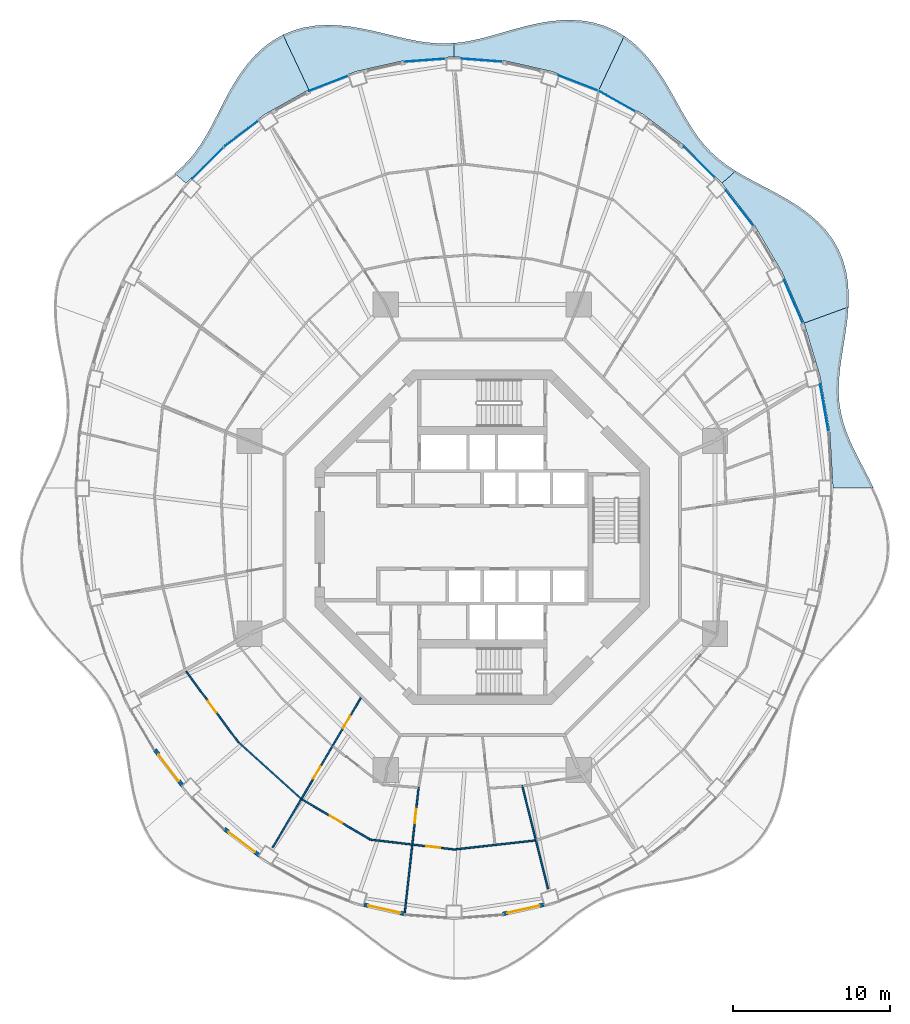
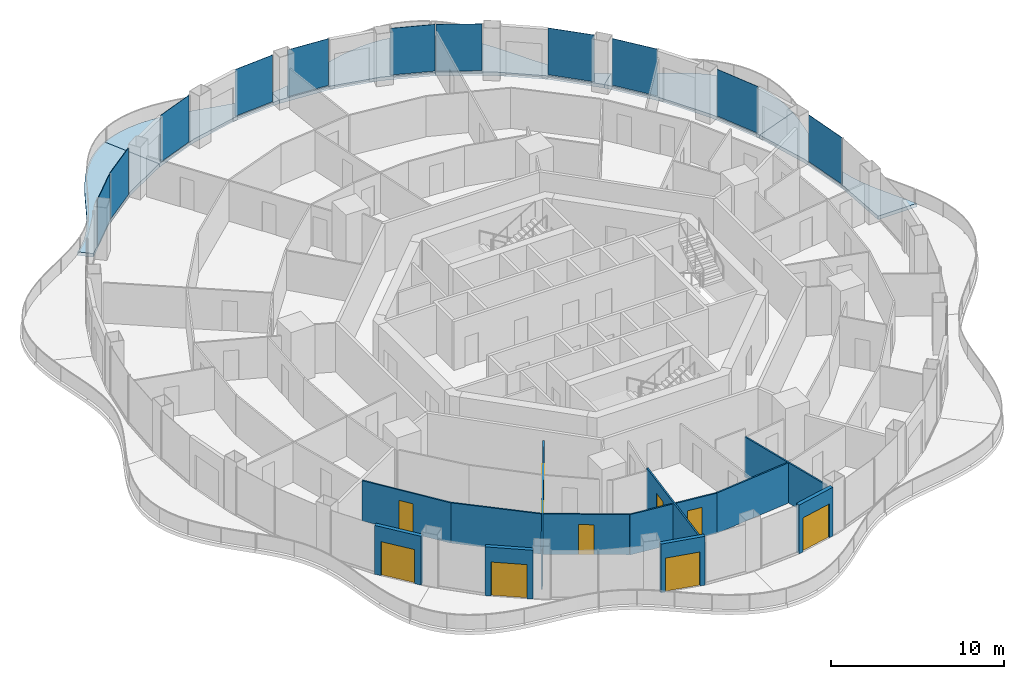
# One storey, part 9 of 18: 12 walls, 11 plates, 10 doors, 6 slabs, 10 openings, 11 elements without a shape of their own.
"""IFC4 building model written with IfcOpenShell, lengths in metres."""

import ifcopenshell
import ifcopenshell.guid

model = None  # the IFC model being written
_history = None  # IfcOwnerHistory: only IFC2X3 demands one
_inside = {}  # id of a spatial element -> (the spatial element, [elements in it])
_under = {}  # id of a project, library or spatial element -> (it, [spatial elements below it])
_declared = {}  # id of a project -> (the project, [libraries it declares])
_typed = {}  # id of a type object -> (the type object, [elements of that type])
_made_of = {}  # id of a material, layer set ... -> (it, [elements and type objects made of it])


def new_model(schema):
    """Start an empty IFC model of exactly this schema.

    Asked for "IFC4X3", IfcOpenShell would pick the latest addendum, in which some entities
    have other attributes; the version numbers below select the first issue.
    IFC2X3 requires an IfcOwnerHistory on every rooted entity: one is made here for all.
    """
    global model, _history
    if schema == "IFC4X3":
        model = ifcopenshell.file(schema_version=(4, 3, 0, 0))
    else:
        model = ifcopenshell.file(schema=schema)
    _inside.clear()
    _under.clear()
    _declared.clear()
    _typed.clear()
    _made_of.clear()
    _history = None
    if model.schema == "IFC2X3":
        org = make("IfcOrganization", Name="unknown")
        user = make(
            "IfcPersonAndOrganization",
            ThePerson=make("IfcPerson", FamilyName="unknown"),
            TheOrganization=org,
        )
        app = make(
            "IfcApplication",
            ApplicationDeveloper=org,
            Version="unknown",
            ApplicationFullName="unknown",
            ApplicationIdentifier="unknown",
        )
        _history = make(
            "IfcOwnerHistory",
            OwningUser=user,
            OwningApplication=app,
            ChangeAction="ADDED",
            CreationDate=0,
        )
    return model


def make(cls, **values):
    """One entity of the class cls with the attributes given. An attribute that is None is left unset."""
    return model.create_entity(
        cls, **{name: value for name, value in values.items() if value is not None}
    )


def rooted(cls, **values):
    """An entity with a GlobalId (a new one), such as an element, a storey or a relation."""
    return make(cls, GlobalId=ifcopenshell.guid.new(), OwnerHistory=_history, **values)


def si_unit(unit_type, name, prefix=None):
    """IfcSIUnit, for example si_unit("LENGTHUNIT", "METRE", prefix="MILLI")."""
    return make("IfcSIUnit", UnitType=unit_type, Prefix=prefix, Name=name)


def assignment(units):
    """IfcUnitAssignment: the units of a project."""
    return None if units is None else make("IfcUnitAssignment", Units=units)


def point(xyz):
    """IfcCartesianPoint."""
    return None if xyz is None else make("IfcCartesianPoint", Coordinates=xyz)


def direction(xyz):
    """IfcDirection."""
    return None if xyz is None else make("IfcDirection", DirectionRatios=xyz)


def frame(location, z_axis=None, x_axis=None):
    """IfcAxis2Placement3D, a coordinate frame: its origin and axes. An axis left out is left unset."""
    return make(
        "IfcAxis2Placement3D",
        Location=point(location),
        Axis=direction(z_axis),
        RefDirection=direction(x_axis),
    )


def frame_2d(location, x_axis=None):
    """IfcAxis2Placement2D, a coordinate frame in the plane: its origin and x axis."""
    return make(
        "IfcAxis2Placement2D", Location=point(location), RefDirection=direction(x_axis)
    )


def origin():
    """The frame at (0, 0, 0) with its axes left unset."""
    return frame((0.0, 0.0, 0.0))


def origin_2d():
    """The frame at (0, 0) in the plane with its x axis left unset."""
    return frame_2d((0.0, 0.0))


def place(relative_to, where):
    """IfcLocalPlacement: puts the frame where relative to a parent placement (None: the world)."""
    return make(
        "IfcLocalPlacement", PlacementRelTo=relative_to, RelativePlacement=where
    )


def context(
    kind, dimensions, precision=None, world=None, true_north=None, identifier=None
):
    """IfcGeometricRepresentationContext, for example the 3D "Model" context."""
    return make(
        "IfcGeometricRepresentationContext",
        ContextIdentifier=identifier,
        ContextType=kind,
        CoordinateSpaceDimension=dimensions,
        Precision=precision,
        WorldCoordinateSystem=world,
        TrueNorth=true_north,
    )


def subcontext(parent, identifier, kind, view, scale=None):
    """IfcGeometricRepresentationSubContext, for example "Body" below "Model"."""
    return make(
        "IfcGeometricRepresentationSubContext",
        ContextIdentifier=identifier,
        ContextType=kind,
        ParentContext=parent,
        TargetScale=scale,
        TargetView=view,
    )


def project(units=None, contexts=None):
    """IfcProject with its units and contexts."""
    return rooted(
        "IfcProject",
        Name="project",
        RepresentationContexts=contexts,
        UnitsInContext=assignment(units),
    )


def spatial(cls, under=None, at=None, **own):
    """A site, building, storey or space (cls), placed at a placement, below another one or the project."""
    s = rooted(cls, ObjectPlacement=at, **own)
    if under is not None:
        _under.setdefault(under.id(), (under, []))[1].append(s)
    return s


def polyline(points):
    """IfcPolyline through the points."""
    return make("IfcPolyline", Points=[point(p) for p in points])


def profile(cls, at=None, kind="AREA", **sizes):
    """A parametric profile (cls). Its sizes go by their IFC names, for example OverallWidth=200.0."""
    return make(cls, ProfileType=kind, Position=at, **sizes)


def rectangle(**sizes):
    """IfcRectangleProfileDef."""
    return profile("IfcRectangleProfileDef", **sizes)


def outline(outer, holes=None, kind="AREA"):
    """IfcArbitraryClosedProfileDef: a profile drawn as a closed curve; with holes, ...WithVoids."""
    if holes is None:
        return make("IfcArbitraryClosedProfileDef", ProfileType=kind, OuterCurve=outer)
    return make(
        "IfcArbitraryProfileDefWithVoids",
        ProfileType=kind,
        OuterCurve=outer,
        InnerCurves=holes,
    )


def extrude(swept, where, along, depth):
    """IfcExtrudedAreaSolid: the profile swept, set in the frame where, extruded along a direction by depth."""
    return make(
        "IfcExtrudedAreaSolid",
        SweptArea=swept,
        Position=where,
        ExtrudedDirection=direction(along),
        Depth=depth,
    )


def shape(context_of_items, identifier, shape_type, items):
    """IfcShapeRepresentation: the items that make up one representation, for example the "Body"."""
    return make(
        "IfcShapeRepresentation",
        ContextOfItems=context_of_items,
        RepresentationIdentifier=identifier,
        RepresentationType=shape_type,
        Items=items,
    )


def material(Name=None, Category=None):
    """IfcMaterial."""
    return make("IfcMaterial", Name=Name, Category=Category)


def layer(
    of_material, thickness, ventilated=None, Name=None, Category=None, Priority=None
):
    """IfcMaterialLayer: one layer of a wall or slab, of a material (None: an air gap)."""
    return make(
        "IfcMaterialLayer",
        Material=of_material,
        LayerThickness=thickness,
        IsVentilated=ventilated,
        Name=Name,
        Category=Category,
        Priority=Priority,
    )


def layer_set(layers, Name=None):
    """IfcMaterialLayerSet."""
    return make("IfcMaterialLayerSet", MaterialLayers=layers, LayerSetName=Name)


def made_of(thing, what):
    """Note that an element or type object is made of a material, layer set ...; save() writes the relation."""
    if what is not None:
        _made_of.setdefault(what.id(), (what, []))[1].append(thing)
    return thing


def type_object(cls, material=None, **own):
    """A type object (cls), such as IfcWallType, which elements share."""
    return made_of(rooted(cls, **own), material)


def element(
    cls,
    number,
    at=None,
    inside=None,
    cuts=None,
    type_object=None,
    material=None,
    context=None,
    identifier="Body",
    shape_type=None,
    held_by="IfcProductDefinitionShape",
    body=None,
    shapes=None,
    **own,
):
    """One element of the class cls, such as IfcWall. Its Tag is "e" and its number.

    at: its placement. inside: the storey or other place that contains it. cuts: it is an
    opening in that element (IfcRelVoidsElement). A single representation is given by context,
    identifier, shape_type and body (its items); several are given by shapes. held_by: the class
    of the entity that holds the representations. save() writes the other relations.
    """
    e = rooted(cls, Tag="e%d" % number, ObjectPlacement=at, **own)
    if body is not None:
        shapes = [shape(context, identifier, shape_type, body)]
    if shapes is not None:
        e.Representation = make(held_by, Representations=shapes)
    if inside is not None:
        _inside.setdefault(inside.id(), (inside, []))[1].append(e)
    if cuts is not None:
        rooted(
            "IfcRelVoidsElement", RelatingBuildingElement=cuts, RelatedOpeningElement=e
        )
    if type_object is not None:
        _typed.setdefault(type_object.id(), (type_object, []))[1].append(e)
    return made_of(e, material)


def fill(opening, filler):
    """IfcRelFillsElement: the door or window that sits in an opening."""
    return rooted(
        "IfcRelFillsElement",
        RelatingOpeningElement=opening,
        RelatedBuildingElement=filler,
    )


def aggregate(whole, parts):
    """IfcRelAggregates: a whole, such as a stair, and the parts it consists of."""
    return rooted("IfcRelAggregates", RelatingObject=whole, RelatedObjects=parts)


def save(model, path):
    """Write the relations noted so far, then the file.

    IfcRelAggregates (storeys below a building ...), IfcRelContainedInSpatialStructure (elements
    in a storey), IfcRelDefinesByType, IfcRelAssociatesMaterial and IfcRelDeclares: one each for
    every whole, place, type object, material and project.
    """
    for whole, parts in _under.values():
        aggregate(whole, parts)
    for where, things in _inside.values():
        rooted(
            "IfcRelContainedInSpatialStructure",
            RelatedElements=things,
            RelatingStructure=where,
        )
    for kind, things in _typed.values():
        rooted("IfcRelDefinesByType", RelatedObjects=things, RelatingType=kind)
    for what, things in _made_of.values():
        rooted("IfcRelAssociatesMaterial", RelatedObjects=things, RelatingMaterial=what)
    for by, libraries in _declared.values():
        rooted("IfcRelDeclares", RelatingContext=by, RelatedDefinitions=libraries)
    model.write(path)


model = new_model("IFC4")

# Units and contexts
model_context = context("Model", 3, precision=1e-05, world=origin(), true_north=direction((0.0, 1.0)))
body_context = subcontext(model_context, "Body", "Model", "MODEL_VIEW")
ifc_project = project(units=[si_unit("LENGTHUNIT", "METRE"), si_unit("AREAUNIT", "SQUARE_METRE"), si_unit("VOLUMEUNIT", "CUBIC_METRE"), si_unit("PLANEANGLEUNIT", "RADIAN"), si_unit("MASSUNIT", "GRAM", prefix="KILO")], contexts=[model_context])

# Site, building, storey
site_placement = place(None, origin())
site = spatial("IfcSite", under=ifc_project, at=site_placement, CompositionType="ELEMENT")
building_placement = place(site_placement, origin())
building = spatial("IfcBuilding", under=site, at=building_placement, Name="Nagisa Residences", CompositionType="ELEMENT")
storey_placement = place(building_placement, frame((0.0, 0.0, 245.5)))
storey = spatial("IfcBuildingStorey", under=building, at=storey_placement, Name="L62", CompositionType="ELEMENT", Elevation=245.5)

# Slabs
ifc_material_1 = material(Name="Concrete C40/50", Category="concrete")
ifc_layer_1 = layer(ifc_material_1, 0.25)
ifc_layer_set_1 = layer_set([ifc_layer_1], Name="BALCONY SLAB 250")
slab_type = type_object("IfcSlabType", Name="BALCONY SLAB 250", PredefinedType="FLOOR", material=ifc_layer_set_1)
slab_1_placement = place(storey_placement, frame((0.0, 0.0, -0.25)))
element("IfcSlab", 1, at=slab_1_placement, inside=storey, type_object=slab_type, Name="slab:L62:bal00", PredefinedType="FLOOR", context=body_context, shape_type="SweptSolid", body=[
    extrude(outline(polyline([(24.854736328125, 3.11767578125), (24.497802734375, 3.833984375), (24.1318359375, 4.53515625), (23.7763671875, 5.222900390625), (23.44873046875, 5.8994140625), (23.163818359375, 6.569091796875), (22.93359375, 7.236572265625), (22.765625, 7.907470703125), (22.663330078125, 8.5869140625), (22.62548828125, 9.27978515625), (22.646240234375, 9.989990234375), (22.715576171875, 10.7197265625), (22.81982421875, 11.4697265625), (22.943359375, 12.239013671875), (23.0673828125, 13.0244140625), (23.173828125, 13.820556640625), (23.244140625, 14.620849609375), (20.437744140625, 13.599365234375), (21.449951171875, 10.206787109375), (22.06396484375, 6.69287109375), (22.27001953125, 3.11767578125), (24.854736328125, 3.11767578125)])), origin(), (0.0, 0.0, 1.0), 0.25),
])
slab_2_placement = place(storey_placement, frame((0.0, 0.0, -0.25)))
element("IfcSlab", 2, at=slab_2_placement, inside=storey, type_object=slab_type, Name="slab:L62:bal01", PredefinedType="FLOOR", context=body_context, shape_type="SweptSolid", body=[
    extrude(outline(polyline([(23.244140625, 14.620849609375), (23.261962890625, 15.39306640625), (23.21630859375, 16.153564453125), (23.09716796875, 16.89453125), (22.8974609375, 17.607421875), (22.613525390625, 18.285400390625), (22.24609375, 18.9228515625), (21.798828125, 19.51513671875), (21.279541015625, 20.060791015625), (20.698974609375, 20.56005859375), (20.06982421875, 21.015380859375), (19.40673828125, 21.4326171875), (18.724609375, 21.818359375), (18.038818359375, 22.182373046875), (17.36328125, 22.534912109375), (16.71044921875, 22.886962890625), (16.090087890625, 23.25), (15.219970703125, 22.4853515625), (17.2958984375, 19.791748046875), (19.045166015625, 16.812744140625), (20.437744140625, 13.599365234375), (23.244140625, 14.620849609375)])), origin(), (0.0, 0.0, 1.0), 0.25),
])
slab_3_placement = place(storey_placement, frame((0.0, 0.0, -0.25)))
element("IfcSlab", 3, at=slab_3_placement, inside=storey, type_object=slab_type, Name="slab:L62:bal02", PredefinedType="FLOOR", context=body_context, shape_type="SweptSolid", body=[
    extrude(outline(polyline([(16.090087890625, 23.25), (15.53564453125, 23.615966796875), (15.020263671875, 24.009521484375), (14.544677734375, 24.437255859375), (14.107177734375, 24.903564453125), (13.70263671875, 25.410400390625), (13.324462890625, 25.95703125), (12.964111328125, 26.5400390625), (12.6123046875, 27.15380859375), (12.258544921875, 27.789306640625), (11.892822265625, 28.436279296875), (11.50537109375, 29.082275390625), (11.088134765625, 29.713623046875), (10.634033203125, 30.31689453125), (10.138671875, 30.87841796875), (9.599365234375, 31.38525390625), (9.015625, 31.826416015625), (7.4111328125, 28.4228515625), (10.235107421875, 26.838134765625), (12.852783203125, 24.84765625), (15.219970703125, 22.4853515625), (16.090087890625, 23.25)])), origin(), (0.0, 0.0, 1.0), 0.25),
])
slab_4_placement = place(storey_placement, frame((0.0, 0.0, -0.25)))
element("IfcSlab", 4, at=slab_4_placement, inside=storey, type_object=slab_type, Name="slab:L62:bal03", PredefinedType="FLOOR", context=body_context, shape_type="SweptSolid", body=[
    extrude(outline(polyline([(9.015625, 31.826416015625), (8.412841796875, 32.181640625), (7.774169921875, 32.46240234375), (7.104736328125, 32.666259765625), (6.410400390625, 32.792724609375), (5.6982421875, 32.84521484375), (4.975341796875, 32.82958984375), (4.24853515625, 32.75390625), (3.524658203125, 32.628662109375), (2.808837890625, 32.46630859375), (2.105712890625, 32.27978515625), (1.417724609375, 32.083251953125), (0.746337890625, 31.889892578125), (0.09130859375, 31.71240234375), (-0.54931640625, 31.56201171875), (-1.17822265625, 31.44775390625), (-1.800048828125, 31.376220703125), (-1.800048828125, 30.5078125), (1.341796875, 30.2734375), (4.4296875, 29.574462890625), (7.4111328125, 28.4228515625), (9.015625, 31.826416015625)])), origin(), (0.0, 0.0, 1.0), 0.25),
])
slab_5_placement = place(storey_placement, frame((0.0, 0.0, -0.25)))
element("IfcSlab", 5, at=slab_5_placement, inside=storey, type_object=slab_type, Name="slab:L62:bal04", PredefinedType="FLOOR", context=body_context, shape_type="SweptSolid", body=[
    extrude(outline(polyline([(-1.800048828125, 31.376220703125), (-2.4189453125, 31.350830078125), (-3.0400390625, 31.372802734375), (-3.668212890625, 31.439208984375), (-4.307373046875, 31.545166015625), (-4.961181640625, 31.6826171875), (-5.631103515625, 31.841064453125), (-6.318115234375, 32.009033203125), (-7.02099609375, 32.173095703125), (-7.737060546875, 32.319580078125), (-8.46240234375, 32.435302734375), (-9.191650390625, 32.5078125), (-9.91796875, 32.525634765625), (-10.634521484375, 32.479736328125), (-11.333740234375, 32.36328125), (-12.008544921875, 32.172119140625), (-12.65234375, 31.90478515625), (-11.01123046875, 28.4228515625), (-8.02978515625, 29.574462890625), (-4.941650390625, 30.2734375), (-1.800048828125, 30.5078125), (-1.800048828125, 31.376220703125)])), origin(), (0.0, 0.0, 1.0), 0.25),
])
slab_6_placement = place(storey_placement, frame((0.0, 0.0, -0.25)))
element("IfcSlab", 6, at=slab_6_placement, inside=storey, type_object=slab_type, Name="slab:L62:bal05", PredefinedType="FLOOR", context=body_context, shape_type="SweptSolid", body=[
    extrude(outline(polyline([(-12.65234375, 31.90478515625), (-13.281982421875, 31.548583984375), (-13.86767578125, 31.1171875), (-14.406982421875, 30.617919921875), (-14.900146484375, 30.060791015625), (-15.3486328125, 29.457763671875), (-15.757080078125, 28.82177734375), (-16.131591796875, 28.16650390625), (-16.48095703125, 27.50537109375), (-16.814208984375, 26.8505859375), (-17.141845703125, 26.21337890625), (-17.474609375, 25.603271484375), (-17.822265625, 25.026611328125), (-18.194580078125, 24.48779296875), (-18.5986328125, 23.988525390625), (-19.040283203125, 23.528076171875), (-19.5224609375, 23.1025390625), (-18.820068359375, 22.4853515625), (-16.452880859375, 24.84765625), (-13.8349609375, 26.838134765625), (-11.01123046875, 28.4228515625), (-12.65234375, 31.90478515625)])), origin(), (0.0, 0.0, 1.0), 0.25),
])

# Curtain wall, plate
ifc_material_2 = material(Name="Concrete-coloured aluminium curtain wall system", Category="concrete")
ifc_layer_2 = layer(ifc_material_2, 0.159912109375)
ifc_layer_set_2 = layer_set([ifc_layer_2], Name="CW1 CURTAIN WALL")
curtain_wall_type = type_object("IfcCurtainWallType", Name="CW1 CURTAIN WALL", PredefinedType="NOTDEFINED", material=ifc_layer_set_2)
curtain_wall_1_placement = place(storey_placement, origin())
curtain_wall_1 = element("IfcCurtainWall", 7, at=curtain_wall_1_placement, inside=storey, type_object=curtain_wall_type, Name="cw:CW1:L62:01", PredefinedType="NOTDEFINED")
ifc_material_3 = material(Name="Clear laminated glass", Category="glass")
ifc_layer_3 = layer(ifc_material_3, 0.028076171875)
ifc_layer_set_3 = layer_set([ifc_layer_3], Name="CW1 GLASS PANEL")
plate_type = type_object("IfcPlateType", Name="CW1 GLASS PANEL", PredefinedType="CURTAIN_PANEL", material=ifc_layer_set_3)
plate_1_placement = place(storey_placement, frame((21.716064453125, 8.21923828125, 0.14990234375), z_axis=(0.0, 0.0, 1.0), x_axis=(-0.172190868898, 0.985063604377, 0.0)))
plate_1 = element("IfcPlate", 8, at=plate_1_placement, type_object=plate_type, Name="CW1 panel", PredefinedType="CURTAIN_PANEL", context=body_context, shape_type="SweptSolid", body=[
    extrude(rectangle(XDim=3.00732421875, YDim=0.028076171875, at=origin_2d()), origin(), (0.0, 0.0, 1.0), 3.2900390625),
])
aggregate(curtain_wall_1, [plate_1])

curtain_wall_2_placement = place(storey_placement, origin())
curtain_wall_2 = element("IfcCurtainWall", 9, at=curtain_wall_2_placement, inside=storey, type_object=curtain_wall_type, Name="cw:CW1:L62:03", PredefinedType="NOTDEFINED")
plate_2_placement = place(storey_placement, frame((19.755615234375, 14.972412109375, 0.14990234375), z_axis=(0.0, 0.0, 1.0), x_axis=(-0.397635934147, 0.917543276295, 0.0)))
plate_2 = element("IfcPlate", 10, at=plate_2_placement, type_object=plate_type, Name="CW1 panel", PredefinedType="CURTAIN_PANEL", context=body_context, shape_type="SweptSolid", body=[
    extrude(rectangle(XDim=2.942138671875, YDim=0.028076171875, at=origin_2d()), origin(), (0.0, 0.0, 1.0), 3.2900390625),
])
aggregate(curtain_wall_2, [plate_2])

curtain_wall_3_placement = place(storey_placement, origin())
curtain_wall_3 = element("IfcCurtainWall", 11, at=curtain_wall_3_placement, inside=storey, type_object=curtain_wall_type, Name="cw:CW1:L62:05", PredefinedType="NOTDEFINED")
plate_3_placement = place(storey_placement, frame((16.328857421875, 20.91552734375, 0.14990234375), z_axis=(0.0, 0.0, 1.0), x_axis=(-0.610429828235, 0.792070340816, 0.0)))
plate_3 = element("IfcPlate", 12, at=plate_3_placement, type_object=plate_type, Name="CW1 panel", PredefinedType="CURTAIN_PANEL", context=body_context, shape_type="SweptSolid", body=[
    extrude(rectangle(XDim=2.8408203125, YDim=0.028076171875, at=origin_2d()), origin(), (0.0, 0.0, 1.0), 3.2900390625),
])
aggregate(curtain_wall_3, [plate_3])

curtain_wall_4_placement = place(storey_placement, origin())
curtain_wall_4 = element("IfcCurtainWall", 13, at=curtain_wall_4_placement, inside=storey, type_object=curtain_wall_type, Name="cw:CW1:L62:06", PredefinedType="NOTDEFINED")
plate_4_placement = place(storey_placement, frame((13.78173828125, 23.8076171875, 0.14990234375), z_axis=(0.0, 0.0, 1.0), x_axis=(-0.707835924016, 0.706376885714, 0.0)))
plate_4 = element("IfcPlate", 14, at=plate_4_placement, type_object=plate_type, Name="CW1 panel", PredefinedType="CURTAIN_PANEL", context=body_context, shape_type="SweptSolid", body=[
    extrude(rectangle(XDim=2.7841796875, YDim=0.028076171875, at=origin_2d()), origin(), (0.0, 0.0, 1.0), 3.2900390625),
])
aggregate(curtain_wall_4, [plate_4])

curtain_wall_5_placement = place(storey_placement, origin())
curtain_wall_5 = element("IfcCurtainWall", 15, at=curtain_wall_5_placement, inside=storey, type_object=curtain_wall_type, Name="cw:CW1:L62:08", PredefinedType="NOTDEFINED")
plate_5_placement = place(storey_placement, frame((8.539794921875, 27.69775390625, 0.14990234375), z_axis=(0.0, 0.0, 1.0), x_axis=(-0.872072377523, 0.489376918501, 0.0)))
plate_5 = element("IfcPlate", 16, at=plate_5_placement, type_object=plate_type, Name="CW1 panel", PredefinedType="CURTAIN_PANEL", context=body_context, shape_type="SweptSolid", body=[
    extrude(rectangle(XDim=2.677978515625, YDim=0.028076171875, at=origin_2d()), origin(), (0.0, 0.0, 1.0), 3.2900390625),
])
aggregate(curtain_wall_5, [plate_5])

curtain_wall_6_placement = place(storey_placement, origin())
curtain_wall_6 = element("IfcCurtainWall", 17, at=curtain_wall_6_placement, inside=storey, type_object=curtain_wall_type, Name="cw:CW1:L62:09", PredefinedType="NOTDEFINED")
plate_6_placement = place(storey_placement, frame((6.096923828125, 28.8447265625, 0.14990234375), z_axis=(0.0, 0.0, 1.0), x_axis=(-0.932825759707, 0.360327770268, 0.0)))
plate_6 = element("IfcPlate", 18, at=plate_6_placement, type_object=plate_type, Name="CW1 panel", PredefinedType="CURTAIN_PANEL", context=body_context, shape_type="SweptSolid", body=[
    extrude(rectangle(XDim=2.63623046875, YDim=0.028076171875, at=origin_2d()), origin(), (0.0, 0.0, 1.0), 3.2900390625),
])
aggregate(curtain_wall_6, [plate_6])

curtain_wall_7_placement = place(storey_placement, origin())
curtain_wall_7 = element("IfcCurtainWall", 19, at=curtain_wall_7_placement, inside=storey, type_object=curtain_wall_type, Name="cw:CW1:L62:11", PredefinedType="NOTDEFINED")
plate_7_placement = place(storey_placement, frame((-0.015625, 30.29443359375, 0.14990234375), z_axis=(0.0, 0.0, 1.0), x_axis=(-0.997230168512, 0.074377355493, 0.0)))
plate_7 = element("IfcPlate", 20, at=plate_7_placement, type_object=plate_type, Name="CW1 panel", PredefinedType="CURTAIN_PANEL", context=body_context, shape_type="SweptSolid", body=[
    extrude(rectangle(XDim=2.590576171875, YDim=0.028076171875, at=origin_2d()), origin(), (0.0, 0.0, 1.0), 3.2900390625),
])
aggregate(curtain_wall_7, [plate_7])

curtain_wall_8_placement = place(storey_placement, origin())
curtain_wall_8 = element("IfcCurtainWall", 21, at=curtain_wall_8_placement, inside=storey, type_object=curtain_wall_type, Name="cw:CW1:L62:12", PredefinedType="NOTDEFINED")
plate_8_placement = place(storey_placement, frame((-3.64404296875, 30.2900390625, 0.14990234375), z_axis=(0.0, 0.0, 1.0), x_axis=(-0.997230168512, -0.074377355493, 0.0)))
plate_8 = element("IfcPlate", 22, at=plate_8_placement, type_object=plate_type, Name="CW1 panel", PredefinedType="CURTAIN_PANEL", context=body_context, shape_type="SweptSolid", body=[
    extrude(rectangle(XDim=2.590576171875, YDim=0.028076171875, at=origin_2d()), origin(), (0.0, 0.0, 1.0), 3.2900390625),
])
aggregate(curtain_wall_8, [plate_8])

curtain_wall_9_placement = place(storey_placement, origin())
curtain_wall_9 = element("IfcCurtainWall", 23, at=curtain_wall_9_placement, inside=storey, type_object=curtain_wall_type, Name="cw:CW1:L62:14", PredefinedType="NOTDEFINED")
plate_9_placement = place(storey_placement, frame((-9.7529296875, 28.822998046875, 0.14990234375), z_axis=(0.0, 0.0, 1.0), x_axis=(-0.932825759707, -0.360327770268, 0.0)))
plate_9 = element("IfcPlate", 24, at=plate_9_placement, type_object=plate_type, Name="CW1 panel", PredefinedType="CURTAIN_PANEL", context=body_context, shape_type="SweptSolid", body=[
    extrude(rectangle(XDim=2.63623046875, YDim=0.028076171875, at=origin_2d()), origin(), (0.0, 0.0, 1.0), 3.2900390625),
])
aggregate(curtain_wall_9, [plate_9])

curtain_wall_10_placement = place(storey_placement, origin())
curtain_wall_10 = element("IfcCurtainWall", 25, at=curtain_wall_10_placement, inside=storey, type_object=curtain_wall_type, Name="cw:CW1:L62:16", PredefinedType="NOTDEFINED")
plate_10_placement = place(storey_placement, frame((-15.318359375, 25.609619140625, 0.14990234375), z_axis=(0.0, 0.0, 1.0), x_axis=(-0.79603132756, -0.605255421737, 0.0)))
plate_10 = element("IfcPlate", 26, at=plate_10_placement, type_object=plate_type, Name="CW1 panel", PredefinedType="CURTAIN_PANEL", context=body_context, shape_type="SweptSolid", body=[
    extrude(rectangle(XDim=2.728759765625, YDim=0.028076171875, at=origin_2d()), origin(), (0.0, 0.0, 1.0), 3.2900390625),
])
aggregate(curtain_wall_10, [plate_10])

curtain_wall_11_placement = place(storey_placement, origin())
curtain_wall_11 = element("IfcCurtainWall", 27, at=curtain_wall_11_placement, inside=storey, type_object=curtain_wall_type, Name="cw:CW1:L62:17", PredefinedType="NOTDEFINED")
plate_11_placement = place(storey_placement, frame((-17.42431640625, 23.765380859375, 0.14990234375), z_axis=(0.0, 0.0, 1.0), x_axis=(-0.707835924016, -0.706376885714, 0.0)))
plate_11 = element("IfcPlate", 28, at=plate_11_placement, type_object=plate_type, Name="CW1 panel", PredefinedType="CURTAIN_PANEL", context=body_context, shape_type="SweptSolid", body=[
    extrude(rectangle(XDim=2.7841796875, YDim=0.028076171875, at=origin_2d()), origin(), (0.0, 0.0, 1.0), 3.2900390625),
])
aggregate(curtain_wall_11, [plate_11])

# Wall, opening, door
ifc_material_4 = material(Name="Gypsum board on steel studs", Category="steel")
ifc_layer_4 = layer(ifc_material_4, 0.10009765625)
ifc_layer_set_4 = layer_set([ifc_layer_4], Name="Apartment partition 100")
wall_type_1 = type_object("IfcWallType", Name="Apartment partition 100", PredefinedType="PARTITIONING", material=ifc_layer_set_4)
wall_1_placement = place(storey_placement, frame((-18.804443359375, -8.515625, 0.0), z_axis=(0.0, 0.0, 1.0), x_axis=(0.593249583583, -0.805018590828, 0.0)))
wall_1 = element("IfcWall", 29, at=wall_1_placement, inside=storey, type_object=wall_type_1, Name="wall:L62:u62", PredefinedType="PARTITIONING", context=body_context, shape_type="SweptSolid", body=[
    extrude(rectangle(XDim=5.601806640625, YDim=0.10009765625, at=frame_2d((2.80078125, 0.0))), origin(), (0.0, 0.0, 1.0), 2.8369140625),
])
opening_1_placement = place(wall_1_placement, frame((2.325927734375, 0.0, 0.0)))
opening_1 = element("IfcOpeningElement", 30, at=opening_1_placement, cuts=wall_1, Name="Opening L62-U50", PredefinedType="OPENING", context=body_context, shape_type="SweptSolid", body=[
    extrude(rectangle(XDim=0.89990234375, YDim=2.10009765625, at=frame_2d((0.449951171875, 1.050048828125))), frame((0.0, 0.06005859375, 0.0), z_axis=(0.0, -1.0, 0.0), x_axis=(1.0, 0.0, 0.0)), (0.0, 0.0, 1.0), 0.1201171875),
])
ifc_material_5 = material(Name="Timber door set", Category="wood")
door_type_1 = type_object("IfcDoorType", Name="Apartment door 900x2100", OperationType="NOTDEFINED", PredefinedType="DOOR", material=ifc_material_5)
door_1_placement = place(opening_1_placement, frame((0.89990234375, 0.0, 0.0), x_axis=(-1.0, 0.0, 0.0)))
door_1 = element("IfcDoor", 31, at=door_1_placement, inside=storey, type_object=door_type_1, Name="Door to living room, Apartment 62C", OperationType="SINGLE_SWING_LEFT", OverallHeight=2.10009765625, OverallWidth=0.89990234375, PredefinedType="DOOR", context=body_context, shape_type="SweptSolid", body=[
    extrude(rectangle(XDim=0.89990234375, YDim=2.10009765625, at=frame_2d((0.449951171875, 1.050048828125))), frame((0.0, 0.02490234375, 0.0), z_axis=(0.0, -1.0, 0.0), x_axis=(1.0, 0.0, 0.0)), (0.0, 0.0, 1.0), 0.050048828125),
])
fill(opening_1, door_1)

# Wall
wall_2_placement = place(storey_placement, frame((-15.4736328125, -13.0185546875, 0.0), z_axis=(0.0, 0.0, 1.0), x_axis=(0.742348572616, -0.670013878017, 0.0)))
element("IfcWall", 32, at=wall_2_placement, inside=storey, type_object=wall_type_1, Name="wall:L62:u64", PredefinedType="PARTITIONING", context=body_context, shape_type="SweptSolid", body=[
    extrude(rectangle(XDim=5.3193359375, YDim=0.10009765625, at=frame_2d((2.65966796875, 0.0))), origin(), (0.0, 0.0, 1.0), 2.8369140625),
])

# Wall, openings, doors
wall_3_placement = place(storey_placement, frame((-7.708740234375, -10.197509765625, 0.0), z_axis=(0.0, 0.0, 1.0), x_axis=(-0.507355901053, -0.8617366127, 0.0)))
wall_3 = element("IfcWall", 33, at=wall_3_placement, inside=storey, type_object=wall_type_1, Name="wall:L62:u65", PredefinedType="PARTITIONING", context=body_context, shape_type="SweptSolid", body=[
    extrude(rectangle(XDim=11.02490234375, YDim=0.10009765625, at=frame_2d((5.512451171875, 0.0))), origin(), (0.0, 0.0, 1.0), 2.761962890625),
])
opening_2_placement = place(wall_3_placement, frame((5.05029296875, 0.0, 0.0)))
opening_2 = element("IfcOpeningElement", 34, at=opening_2_placement, cuts=wall_3, Name="Opening L62-U49", PredefinedType="OPENING", context=body_context, shape_type="SweptSolid", body=[
    extrude(rectangle(XDim=0.89990234375, YDim=2.10009765625, at=frame_2d((0.449951171875, 1.050048828125))), frame((0.0, 0.06005859375, 0.0), z_axis=(0.0, -1.0, 0.0), x_axis=(1.0, 0.0, 0.0)), (0.0, 0.0, 1.0), 0.1201171875),
])
opening_3_placement = place(wall_3_placement, frame((1.326171875, 0.0, 0.0)))
opening_3 = element("IfcOpeningElement", 35, at=opening_3_placement, cuts=wall_3, Name="Opening L62-U51", PredefinedType="OPENING", context=body_context, shape_type="SweptSolid", body=[
    extrude(rectangle(XDim=0.89990234375, YDim=2.10009765625, at=frame_2d((0.449951171875, 1.050048828125))), frame((0.0, 0.06005859375, 0.0), z_axis=(0.0, -1.0, 0.0), x_axis=(1.0, 0.0, 0.0)), (0.0, 0.0, 1.0), 0.1201171875),
])
door_2_placement = place(opening_2_placement, frame((0.89990234375, 0.0, 0.0), x_axis=(-1.0, 0.0, 0.0)))
door_2 = element("IfcDoor", 36, at=door_2_placement, inside=storey, type_object=door_type_1, Name="Door to dining room, Apartment 62C", OperationType="SINGLE_SWING_RIGHT", OverallHeight=2.10009765625, OverallWidth=0.89990234375, PredefinedType="DOOR", context=body_context, shape_type="SweptSolid", body=[
    extrude(rectangle(XDim=0.89990234375, YDim=2.10009765625, at=frame_2d((0.449951171875, 1.050048828125))), frame((0.0, 0.02490234375, 0.0), z_axis=(0.0, -1.0, 0.0), x_axis=(1.0, 0.0, 0.0)), (0.0, 0.0, 1.0), 0.050048828125),
])
fill(opening_2, door_2)
door_3_placement = place(opening_3_placement, frame((0.89990234375, 0.0, 0.0), x_axis=(-1.0, 0.0, 0.0)))
door_3 = element("IfcDoor", 37, at=door_3_placement, inside=storey, type_object=door_type_1, Name="Door to store, Apartment 62C", OperationType="SINGLE_SWING_RIGHT", OverallHeight=2.10009765625, OverallWidth=0.89990234375, PredefinedType="DOOR", context=body_context, shape_type="SweptSolid", body=[
    extrude(rectangle(XDim=0.89990234375, YDim=2.10009765625, at=frame_2d((0.449951171875, 1.050048828125))), frame((0.0, 0.02490234375, 0.0), z_axis=(0.0, -1.0, 0.0), x_axis=(1.0, 0.0, 0.0)), (0.0, 0.0, 1.0), 0.050048828125),
])
fill(opening_3, door_3)

# Wall, opening, door
wall_4_placement = place(storey_placement, frame((-11.444580078125, -16.641357421875, 0.0), z_axis=(0.0, 0.0, 1.0), x_axis=(0.861562560957, -0.507651409489, 0.0)))
wall_4 = element("IfcWall", 38, at=wall_4_placement, inside=storey, type_object=wall_type_1, Name="wall:L62:u67", PredefinedType="PARTITIONING", context=body_context, shape_type="SweptSolid", body=[
    extrude(rectangle(XDim=4.98486328125, YDim=0.10009765625, at=frame_2d((2.492431640625, 0.0))), origin(), (0.0, 0.0, 1.0), 2.8369140625),
])
opening_4_placement = place(wall_4_placement, frame((2.04248046875, 0.0, 0.0)))
opening_4 = element("IfcOpeningElement", 39, at=opening_4_placement, cuts=wall_4, Name="Opening L62-U45", PredefinedType="OPENING", context=body_context, shape_type="SweptSolid", body=[
    extrude(rectangle(XDim=0.89990234375, YDim=2.10009765625, at=frame_2d((0.449951171875, 1.050048828125))), frame((0.0, 0.06005859375, 0.0), z_axis=(0.0, -1.0, 0.0), x_axis=(1.0, 0.0, 0.0)), (0.0, 0.0, 1.0), 0.1201171875),
])
door_4_placement = place(opening_4_placement, frame((0.89990234375, 0.0, 0.0), x_axis=(-1.0, 0.0, 0.0)))
door_4 = element("IfcDoor", 40, at=door_4_placement, inside=storey, type_object=door_type_1, Name="Door to bedroom, Apartment 62C", OperationType="SINGLE_SWING_RIGHT", OverallHeight=2.10009765625, OverallWidth=0.89990234375, PredefinedType="DOOR", context=body_context, shape_type="SweptSolid", body=[
    extrude(rectangle(XDim=0.89990234375, YDim=2.10009765625, at=frame_2d((0.449951171875, 1.050048828125))), frame((0.0, 0.02490234375, 0.0), z_axis=(0.0, -1.0, 0.0), x_axis=(1.0, 0.0, 0.0)), (0.0, 0.0, 1.0), 0.050048828125),
])
fill(opening_4, door_4)

wall_5_placement = place(storey_placement, frame((-7.156494140625, -19.19140625, 0.0), z_axis=(0.0, 0.0, 1.0), x_axis=(0.9931716165, -0.116662505458, 0.0)))
wall_5 = element("IfcWall", 41, at=wall_5_placement, inside=storey, type_object=wall_type_1, Name="wall:L62:u70", PredefinedType="PARTITIONING", context=body_context, shape_type="SweptSolid", body=[
    extrude(rectangle(XDim=5.46826171875, YDim=0.10009765625, at=frame_2d((2.734130859375, 0.0))), origin(), (0.0, 0.0, 1.0), 2.8369140625),
])
opening_5_placement = place(wall_5_placement, frame((3.626220703125, 0.0, 0.0)))
opening_5 = element("IfcOpeningElement", 42, at=opening_5_placement, cuts=wall_5, Name="Opening L62-U46", PredefinedType="OPENING", context=body_context, shape_type="SweptSolid", body=[
    extrude(rectangle(XDim=0.89990234375, YDim=2.10009765625, at=frame_2d((0.449951171875, 1.050048828125))), frame((0.0, 0.06005859375, 0.0), z_axis=(0.0, -1.0, 0.0), x_axis=(1.0, 0.0, 0.0)), (0.0, 0.0, 1.0), 0.1201171875),
])
door_5_placement = place(opening_5_placement, frame((0.89990234375, 0.0, 0.0), x_axis=(-1.0, 0.0, 0.0)))
door_5 = element("IfcDoor", 43, at=door_5_placement, inside=storey, type_object=door_type_1, Name="Door to kitchen, Apartment 62C", OperationType="SINGLE_SWING_LEFT", OverallHeight=2.10009765625, OverallWidth=0.89990234375, PredefinedType="DOOR", context=body_context, shape_type="SweptSolid", body=[
    extrude(rectangle(XDim=0.89990234375, YDim=2.10009765625, at=frame_2d((0.449951171875, 1.050048828125))), frame((0.0, 0.02490234375, 0.0), z_axis=(0.0, -1.0, 0.0), x_axis=(1.0, 0.0, 0.0)), (0.0, 0.0, 1.0), 0.050048828125),
])
fill(opening_5, door_5)

wall_6_placement = place(storey_placement, frame((-4.036376953125, -15.843505859375, 0.0), z_axis=(0.0, 0.0, 1.0), x_axis=(-0.109804423508, -0.993953212469, 0.0)))
wall_6 = element("IfcWall", 44, at=wall_6_placement, inside=storey, type_object=wall_type_1, Name="wall:L62:u72", PredefinedType="PARTITIONING", context=body_context, shape_type="SweptSolid", body=[
    extrude(rectangle(XDim=8.204345703125, YDim=0.10009765625, at=frame_2d((4.10205078125, 0.0))), origin(), (0.0, 0.0, 1.0), 2.98291015625),
])
opening_6_placement = place(wall_6_placement, frame((1.41943359375, 0.0, 0.0)))
opening_6 = element("IfcOpeningElement", 45, at=opening_6_placement, cuts=wall_6, Name="Opening L62-U42", PredefinedType="OPENING", context=body_context, shape_type="SweptSolid", body=[
    extrude(rectangle(XDim=0.89990234375, YDim=2.10009765625, at=frame_2d((0.449951171875, 1.050048828125))), frame((0.0, 0.06005859375, 0.0), z_axis=(0.0, -1.0, 0.0), x_axis=(1.0, 0.0, 0.0)), (0.0, 0.0, 1.0), 0.1201171875),
])
door_6_placement = place(opening_6_placement, frame((0.89990234375, 0.0, 0.0), x_axis=(-1.0, 0.0, 0.0)))
door_6 = element("IfcDoor", 46, at=door_6_placement, inside=storey, type_object=door_type_1, Name="Door to kitchen, Apartment 62C", OperationType="SINGLE_SWING_LEFT", OverallHeight=2.10009765625, OverallWidth=0.89990234375, PredefinedType="DOOR", context=body_context, shape_type="SweptSolid", body=[
    extrude(rectangle(XDim=0.89990234375, YDim=2.10009765625, at=frame_2d((0.449951171875, 1.050048828125))), frame((0.0, 0.02490234375, 0.0), z_axis=(0.0, -1.0, 0.0), x_axis=(1.0, 0.0, 0.0)), (0.0, 0.0, 1.0), 0.050048828125),
])
fill(opening_6, door_6)

# Walls
wall_7_placement = place(storey_placement, frame((-1.7255859375, -19.81787109375, 0.0), z_axis=(0.0, 0.0, 1.0), x_axis=(0.99381893047, 0.111013212902, 0.0)))
element("IfcWall", 47, at=wall_7_placement, inside=storey, type_object=wall_type_1, Name="wall:L62:u73", PredefinedType="PARTITIONING", context=body_context, shape_type="SweptSolid", body=[
    extrude(rectangle(XDim=5.113037109375, YDim=0.10009765625, at=frame_2d((2.556640625, 0.0))), origin(), (0.0, 0.0, 1.0), 2.8369140625),
])
wall_8_placement = place(storey_placement, frame((2.53125, -15.74853515625, 0.0), z_axis=(0.0, 0.0, 1.0), x_axis=(0.242645858264, -0.970114935184, 0.0)))
element("IfcWall", 48, at=wall_8_placement, inside=storey, type_object=wall_type_1, Name="wall:L62:u76", PredefinedType="PARTITIONING", context=body_context, shape_type="SweptSolid", body=[
    extrude(rectangle(XDim=6.7744140625, YDim=0.10009765625, at=frame_2d((3.38720703125, 0.0))), origin(), (0.0, 0.0, 1.0), 2.8369140625),
])

# Wall, opening, door
ifc_material_6 = material(Name="Precast concrete C40/50", Category="concrete")
ifc_layer_5 = layer(ifc_material_6, 0.25)
ifc_layer_set_5 = layer_set([ifc_layer_5], Name="BALCONY DOOR WALL 250")
wall_type_2 = type_object("IfcWallType", Name="BALCONY DOOR WALL 250", PredefinedType="SOLIDWALL", material=ifc_layer_set_5)
wall_9_placement = place(storey_placement, frame((-19.0263671875, -15.777587890625, 0.0), z_axis=(0.0, 0.0, 1.0), x_axis=(-0.610438565676, 0.792063607001, 0.0)))
wall_9 = element("IfcWall", 49, at=wall_9_placement, inside=storey, type_object=wall_type_2, Name="wall:L62:bay29", PredefinedType="SOLIDWALL", context=body_context, shape_type="SweptSolid", body=[
    extrude(rectangle(XDim=2.90087890625, YDim=0.25, at=frame_2d((1.450439453125, 0.0))), origin(), (0.0, 0.0, 1.0), 3.43994140625),
])
opening_7_placement = place(wall_9_placement, frame((0.400390625, 0.0, 0.0)))
opening_7 = element("IfcOpeningElement", 50, at=opening_7_placement, cuts=wall_9, Name="Opening BD-L62-10", PredefinedType="OPENING", context=body_context, shape_type="SweptSolid", body=[
    extrude(rectangle(XDim=2.10009765625, YDim=2.39990234375, at=frame_2d((1.050048828125, 1.199951171875))), frame((0.0, 0.135009765625, 0.0), z_axis=(0.0, -1.0, 0.0), x_axis=(1.0, 0.0, 0.0)), (0.0, 0.0, 1.0), 0.27001953125),
])
ifc_material_7 = material(Name="Aluminium and clear glass", Category="aluminium")
door_type_2 = type_object("IfcDoorType", Name="BALCONY SLIDING DOOR 2100x2400", OperationType="SLIDING_TO_LEFT", PredefinedType="DOOR", material=ifc_material_7)
door_7_placement = place(opening_7_placement, origin())
door_7 = element("IfcDoor", 51, at=door_7_placement, inside=storey, type_object=door_type_2, Name="door:L62:bay29", OperationType="SLIDING_TO_LEFT", OverallHeight=2.39990234375, OverallWidth=2.10009765625, PredefinedType="DOOR", context=body_context, shape_type="SweptSolid", body=[
    extrude(rectangle(XDim=2.10009765625, YDim=2.39990234375, at=frame_2d((1.050048828125, 1.199951171875))), frame((0.0, 0.02490234375, 0.0), z_axis=(0.0, -1.0, 0.0), x_axis=(1.0, 0.0, 0.0)), (0.0, 0.0, 1.0), 0.050048828125),
])
fill(opening_7, door_7)

wall_10_placement = place(storey_placement, frame((-14.157470703125, -20.20068359375, 0.0), z_axis=(0.0, 0.0, 1.0), x_axis=(-0.795990084031, 0.60530966135, 0.0)))
wall_10 = element("IfcWall", 52, at=wall_10_placement, inside=storey, type_object=wall_type_2, Name="wall:L62:bay31", PredefinedType="SOLIDWALL", context=body_context, shape_type="SweptSolid", body=[
    extrude(rectangle(XDim=2.78857421875, YDim=0.25, at=frame_2d((1.394287109375, 0.0))), origin(), (0.0, 0.0, 1.0), 3.43994140625),
])
opening_8_placement = place(wall_10_placement, frame((0.34423828125, 0.0, 0.0)))
opening_8 = element("IfcOpeningElement", 53, at=opening_8_placement, cuts=wall_10, Name="Opening BD-L62-11", PredefinedType="OPENING", context=body_context, shape_type="SweptSolid", body=[
    extrude(rectangle(XDim=2.10009765625, YDim=2.39990234375, at=frame_2d((1.050048828125, 1.199951171875))), frame((0.0, 0.135009765625, 0.0), z_axis=(0.0, -1.0, 0.0), x_axis=(1.0, 0.0, 0.0)), (0.0, 0.0, 1.0), 0.27001953125),
])
door_8_placement = place(opening_8_placement, origin())
door_8 = element("IfcDoor", 54, at=door_8_placement, inside=storey, type_object=door_type_2, Name="door:L62:bay31", OperationType="SLIDING_TO_LEFT", OverallHeight=2.39990234375, OverallWidth=2.10009765625, PredefinedType="DOOR", context=body_context, shape_type="SweptSolid", body=[
    extrude(rectangle(XDim=2.10009765625, YDim=2.39990234375, at=frame_2d((1.050048828125, 1.199951171875))), frame((0.0, 0.02490234375, 0.0), z_axis=(0.0, -1.0, 0.0), x_axis=(1.0, 0.0, 0.0)), (0.0, 0.0, 1.0), 0.050048828125),
])
fill(opening_8, door_8)

wall_11_placement = place(storey_placement, frame((-4.9140625, -23.916015625, 0.0), z_axis=(0.0, 0.0, 1.0), x_axis=(-0.975324089124, 0.220777990694, 0.0)))
wall_11 = element("IfcWall", 55, at=wall_11_placement, inside=storey, type_object=wall_type_2, Name="wall:L62:bay34", PredefinedType="SOLIDWALL", context=body_context, shape_type="SweptSolid", body=[
    extrude(rectangle(XDim=2.666015625, YDim=0.25, at=frame_2d((1.3330078125, 0.0))), origin(), (0.0, 0.0, 1.0), 3.43994140625),
])
opening_9_placement = place(wall_11_placement, frame((0.282958984375, 0.0, 0.0)))
opening_9 = element("IfcOpeningElement", 56, at=opening_9_placement, cuts=wall_11, Name="Opening BD-L62-12", PredefinedType="OPENING", context=body_context, shape_type="SweptSolid", body=[
    extrude(rectangle(XDim=2.10009765625, YDim=2.39990234375, at=frame_2d((1.050048828125, 1.199951171875))), frame((0.0, 0.135009765625, 0.0), z_axis=(0.0, -1.0, 0.0), x_axis=(1.0, 0.0, 0.0)), (0.0, 0.0, 1.0), 0.27001953125),
])
door_9_placement = place(opening_9_placement, origin())
door_9 = element("IfcDoor", 57, at=door_9_placement, inside=storey, type_object=door_type_2, Name="door:L62:bay34", OperationType="SLIDING_TO_LEFT", OverallHeight=2.39990234375, OverallWidth=2.10009765625, PredefinedType="DOOR", context=body_context, shape_type="SweptSolid", body=[
    extrude(rectangle(XDim=2.10009765625, YDim=2.39990234375, at=frame_2d((1.050048828125, 1.199951171875))), frame((0.0, 0.02490234375, 0.0), z_axis=(0.0, -1.0, 0.0), x_axis=(1.0, 0.0, 0.0)), (0.0, 0.0, 1.0), 0.050048828125),
])
fill(opening_9, door_9)

wall_12_placement = place(storey_placement, frame((3.91455078125, -23.327392578125, 0.0), z_axis=(0.0, 0.0, 1.0), x_axis=(-0.975324089124, -0.220777990694, 0.0)))
wall_12 = element("IfcWall", 58, at=wall_12_placement, inside=storey, type_object=wall_type_2, Name="wall:L62:bay37", PredefinedType="SOLIDWALL", context=body_context, shape_type="SweptSolid", body=[
    extrude(rectangle(XDim=2.666015625, YDim=0.25, at=frame_2d((1.3330078125, 0.0))), origin(), (0.0, 0.0, 1.0), 3.43994140625),
])
opening_10_placement = place(wall_12_placement, frame((0.282958984375, 0.0, 0.0)))
opening_10 = element("IfcOpeningElement", 59, at=opening_10_placement, cuts=wall_12, Name="Opening BD-L62-13", PredefinedType="OPENING", context=body_context, shape_type="SweptSolid", body=[
    extrude(rectangle(XDim=2.10009765625, YDim=2.39990234375, at=frame_2d((1.050048828125, 1.199951171875))), frame((0.0, 0.135009765625, 0.0), z_axis=(0.0, -1.0, 0.0), x_axis=(1.0, 0.0, 0.0)), (0.0, 0.0, 1.0), 0.27001953125),
])
door_10_placement = place(opening_10_placement, origin())
door_10 = element("IfcDoor", 60, at=door_10_placement, inside=storey, type_object=door_type_2, Name="door:L62:bay37", OperationType="SLIDING_TO_LEFT", OverallHeight=2.39990234375, OverallWidth=2.10009765625, PredefinedType="DOOR", context=body_context, shape_type="SweptSolid", body=[
    extrude(rectangle(XDim=2.10009765625, YDim=2.39990234375, at=frame_2d((1.050048828125, 1.199951171875))), frame((0.0, 0.02490234375, 0.0), z_axis=(0.0, -1.0, 0.0), x_axis=(1.0, 0.0, 0.0)), (0.0, 0.0, 1.0), 0.050048828125),
])
fill(opening_10, door_10)

save(model, "model.ifc")
